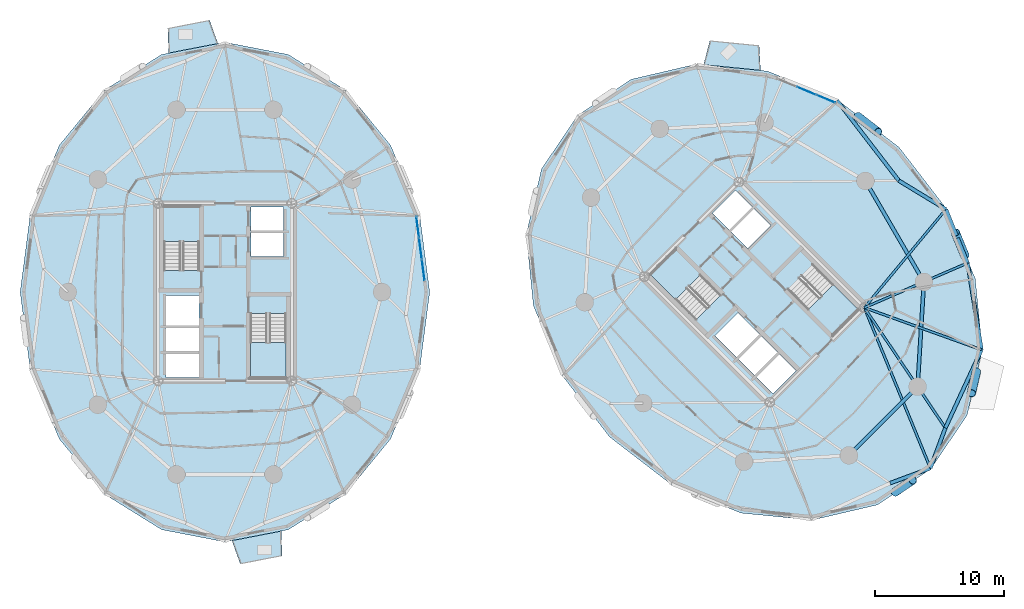
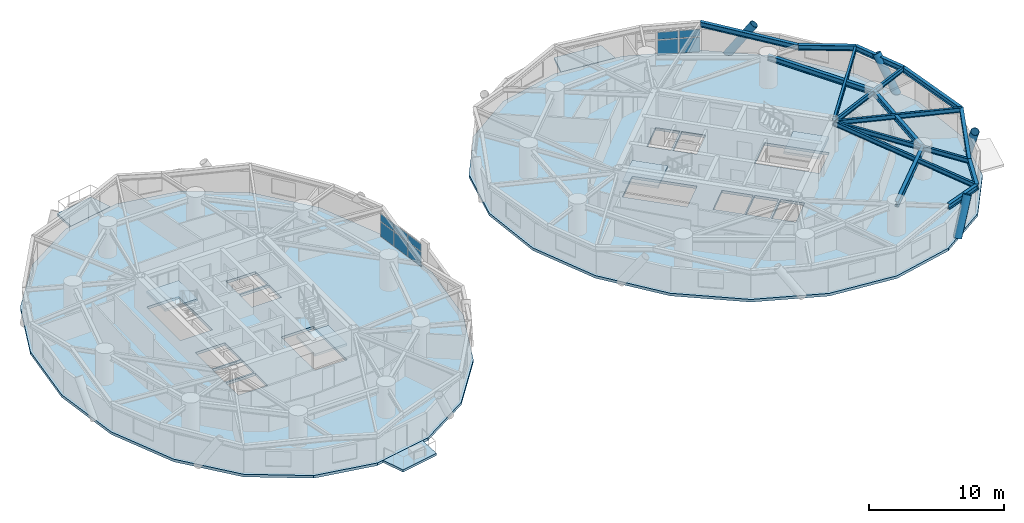
# One storey, part 7 of 18: 15 beams, 10 plates, 9 slabs, 4 members, 6 elements without a shape of their own.
"""IFC4 building model written with IfcOpenShell, lengths in metres."""

import ifcopenshell
import ifcopenshell.guid

model = None  # the IFC model being written
_history = None  # IfcOwnerHistory: only IFC2X3 demands one
_inside = {}  # id of a spatial element -> (the spatial element, [elements in it])
_under = {}  # id of a project, library or spatial element -> (it, [spatial elements below it])
_declared = {}  # id of a project -> (the project, [libraries it declares])
_typed = {}  # id of a type object -> (the type object, [elements of that type])
_made_of = {}  # id of a material, layer set ... -> (it, [elements and type objects made of it])


def new_model(schema):
    """Start an empty IFC model of exactly this schema.

    Asked for "IFC4X3", IfcOpenShell would pick the latest addendum, in which some entities
    have other attributes; the version numbers below select the first issue.
    IFC2X3 requires an IfcOwnerHistory on every rooted entity: one is made here for all.
    """
    global model, _history
    if schema == "IFC4X3":
        model = ifcopenshell.file(schema_version=(4, 3, 0, 0))
    else:
        model = ifcopenshell.file(schema=schema)
    _inside.clear()
    _under.clear()
    _declared.clear()
    _typed.clear()
    _made_of.clear()
    _history = None
    if model.schema == "IFC2X3":
        org = make("IfcOrganization", Name="unknown")
        user = make(
            "IfcPersonAndOrganization",
            ThePerson=make("IfcPerson", FamilyName="unknown"),
            TheOrganization=org,
        )
        app = make(
            "IfcApplication",
            ApplicationDeveloper=org,
            Version="unknown",
            ApplicationFullName="unknown",
            ApplicationIdentifier="unknown",
        )
        _history = make(
            "IfcOwnerHistory",
            OwningUser=user,
            OwningApplication=app,
            ChangeAction="ADDED",
            CreationDate=0,
        )
    return model


def make(cls, **values):
    """One entity of the class cls with the attributes given. An attribute that is None is left unset."""
    return model.create_entity(
        cls, **{name: value for name, value in values.items() if value is not None}
    )


def rooted(cls, **values):
    """An entity with a GlobalId (a new one), such as an element, a storey or a relation."""
    return make(cls, GlobalId=ifcopenshell.guid.new(), OwnerHistory=_history, **values)


def si_unit(unit_type, name, prefix=None):
    """IfcSIUnit, for example si_unit("LENGTHUNIT", "METRE", prefix="MILLI")."""
    return make("IfcSIUnit", UnitType=unit_type, Prefix=prefix, Name=name)


def assignment(units):
    """IfcUnitAssignment: the units of a project."""
    return None if units is None else make("IfcUnitAssignment", Units=units)


def point(xyz):
    """IfcCartesianPoint."""
    return None if xyz is None else make("IfcCartesianPoint", Coordinates=xyz)


def direction(xyz):
    """IfcDirection."""
    return None if xyz is None else make("IfcDirection", DirectionRatios=xyz)


def frame(location, z_axis=None, x_axis=None):
    """IfcAxis2Placement3D, a coordinate frame: its origin and axes. An axis left out is left unset."""
    return make(
        "IfcAxis2Placement3D",
        Location=point(location),
        Axis=direction(z_axis),
        RefDirection=direction(x_axis),
    )


def frame_2d(location, x_axis=None):
    """IfcAxis2Placement2D, a coordinate frame in the plane: its origin and x axis."""
    return make(
        "IfcAxis2Placement2D", Location=point(location), RefDirection=direction(x_axis)
    )


def origin():
    """The frame at (0, 0, 0) with its axes left unset."""
    return frame((0.0, 0.0, 0.0))


def origin_2d():
    """The frame at (0, 0) in the plane with its x axis left unset."""
    return frame_2d((0.0, 0.0))


def place(relative_to, where):
    """IfcLocalPlacement: puts the frame where relative to a parent placement (None: the world)."""
    return make(
        "IfcLocalPlacement", PlacementRelTo=relative_to, RelativePlacement=where
    )


def context(
    kind, dimensions, precision=None, world=None, true_north=None, identifier=None
):
    """IfcGeometricRepresentationContext, for example the 3D "Model" context."""
    return make(
        "IfcGeometricRepresentationContext",
        ContextIdentifier=identifier,
        ContextType=kind,
        CoordinateSpaceDimension=dimensions,
        Precision=precision,
        WorldCoordinateSystem=world,
        TrueNorth=true_north,
    )


def subcontext(parent, identifier, kind, view, scale=None):
    """IfcGeometricRepresentationSubContext, for example "Body" below "Model"."""
    return make(
        "IfcGeometricRepresentationSubContext",
        ContextIdentifier=identifier,
        ContextType=kind,
        ParentContext=parent,
        TargetScale=scale,
        TargetView=view,
    )


def project(units=None, contexts=None):
    """IfcProject with its units and contexts."""
    return rooted(
        "IfcProject",
        Name="project",
        RepresentationContexts=contexts,
        UnitsInContext=assignment(units),
    )


def spatial(cls, under=None, at=None, **own):
    """A site, building, storey or space (cls), placed at a placement, below another one or the project."""
    s = rooted(cls, ObjectPlacement=at, **own)
    if under is not None:
        _under.setdefault(under.id(), (under, []))[1].append(s)
    return s


def polyline(points):
    """IfcPolyline through the points."""
    return make("IfcPolyline", Points=[point(p) for p in points])


def profile(cls, at=None, kind="AREA", **sizes):
    """A parametric profile (cls). Its sizes go by their IFC names, for example OverallWidth=200.0."""
    return make(cls, ProfileType=kind, Position=at, **sizes)


def rectangle(**sizes):
    """IfcRectangleProfileDef."""
    return profile("IfcRectangleProfileDef", **sizes)


def hollow_circle(**sizes):
    """IfcCircleHollowProfileDef."""
    return profile("IfcCircleHollowProfileDef", **sizes)


def i_section(**sizes):
    """IfcIShapeProfileDef."""
    return profile("IfcIShapeProfileDef", **sizes)


def outline(outer, holes=None, kind="AREA"):
    """IfcArbitraryClosedProfileDef: a profile drawn as a closed curve; with holes, ...WithVoids."""
    if holes is None:
        return make("IfcArbitraryClosedProfileDef", ProfileType=kind, OuterCurve=outer)
    return make(
        "IfcArbitraryProfileDefWithVoids",
        ProfileType=kind,
        OuterCurve=outer,
        InnerCurves=holes,
    )


def extrude(swept, where, along, depth):
    """IfcExtrudedAreaSolid: the profile swept, set in the frame where, extruded along a direction by depth."""
    return make(
        "IfcExtrudedAreaSolid",
        SweptArea=swept,
        Position=where,
        ExtrudedDirection=direction(along),
        Depth=depth,
    )


def shape(context_of_items, identifier, shape_type, items):
    """IfcShapeRepresentation: the items that make up one representation, for example the "Body"."""
    return make(
        "IfcShapeRepresentation",
        ContextOfItems=context_of_items,
        RepresentationIdentifier=identifier,
        RepresentationType=shape_type,
        Items=items,
    )


def source(mapping_origin, context_of_items, identifier, shape_type, items):
    """IfcRepresentationMap: a shape defined once, which mapped items show again and again."""
    return make(
        "IfcRepresentationMap",
        MappingOrigin=mapping_origin,
        MappedRepresentation=shape(context_of_items, identifier, shape_type, items),
    )


def transform(
    local_origin,
    x_axis=None,
    y_axis=None,
    z_axis=None,
    scale=None,
    scale2=None,
    scale3=None,
    uniform=True,
):
    """IfcCartesianTransformationOperator3D, or its non-uniform kind. x_axis, y_axis, z_axis: its Axis1, 2, 3."""
    if uniform:
        return make(
            "IfcCartesianTransformationOperator3D",
            Axis1=direction(x_axis),
            Axis2=direction(y_axis),
            LocalOrigin=point(local_origin),
            Scale=scale,
            Axis3=direction(z_axis),
        )
    return make(
        "IfcCartesianTransformationOperator3DnonUniform",
        Axis1=direction(x_axis),
        Axis2=direction(y_axis),
        LocalOrigin=point(local_origin),
        Scale=scale,
        Axis3=direction(z_axis),
        Scale2=scale2,
        Scale3=scale3,
    )


def mapped(mapping_source, mapping_target):
    """IfcMappedItem: shows the shape of a source again, moved by a transform."""
    return make(
        "IfcMappedItem", MappingSource=mapping_source, MappingTarget=mapping_target
    )


def material(Name=None, Category=None):
    """IfcMaterial."""
    return make("IfcMaterial", Name=Name, Category=Category)


def layer(
    of_material, thickness, ventilated=None, Name=None, Category=None, Priority=None
):
    """IfcMaterialLayer: one layer of a wall or slab, of a material (None: an air gap)."""
    return make(
        "IfcMaterialLayer",
        Material=of_material,
        LayerThickness=thickness,
        IsVentilated=ventilated,
        Name=Name,
        Category=Category,
        Priority=Priority,
    )


def layer_set(layers, Name=None):
    """IfcMaterialLayerSet."""
    return make("IfcMaterialLayerSet", MaterialLayers=layers, LayerSetName=Name)


def material_profile(
    of_material, cross_section, Name=None, Category=None, Priority=None
):
    """IfcMaterialProfile: a cross section and its material."""
    return make(
        "IfcMaterialProfile",
        Name=Name,
        Material=of_material,
        Profile=cross_section,
        Priority=Priority,
        Category=Category,
    )


def profile_set(profiles, Name=None, composite=None):
    """IfcMaterialProfileSet."""
    return make(
        "IfcMaterialProfileSet",
        Name=Name,
        MaterialProfiles=profiles,
        CompositeProfile=composite,
    )


def made_of(thing, what):
    """Note that an element or type object is made of a material, layer set ...; save() writes the relation."""
    if what is not None:
        _made_of.setdefault(what.id(), (what, []))[1].append(thing)
    return thing


def type_object(cls, material=None, **own):
    """A type object (cls), such as IfcWallType, which elements share."""
    return made_of(rooted(cls, **own), material)


def element(
    cls,
    number,
    at=None,
    inside=None,
    cuts=None,
    type_object=None,
    material=None,
    context=None,
    identifier="Body",
    shape_type=None,
    held_by="IfcProductDefinitionShape",
    body=None,
    shapes=None,
    **own,
):
    """One element of the class cls, such as IfcWall. Its Tag is "e" and its number.

    at: its placement. inside: the storey or other place that contains it. cuts: it is an
    opening in that element (IfcRelVoidsElement). A single representation is given by context,
    identifier, shape_type and body (its items); several are given by shapes. held_by: the class
    of the entity that holds the representations. save() writes the other relations.
    """
    e = rooted(cls, Tag="e%d" % number, ObjectPlacement=at, **own)
    if body is not None:
        shapes = [shape(context, identifier, shape_type, body)]
    if shapes is not None:
        e.Representation = make(held_by, Representations=shapes)
    if inside is not None:
        _inside.setdefault(inside.id(), (inside, []))[1].append(e)
    if cuts is not None:
        rooted(
            "IfcRelVoidsElement", RelatingBuildingElement=cuts, RelatedOpeningElement=e
        )
    if type_object is not None:
        _typed.setdefault(type_object.id(), (type_object, []))[1].append(e)
    return made_of(e, material)


def aggregate(whole, parts):
    """IfcRelAggregates: a whole, such as a stair, and the parts it consists of."""
    return rooted("IfcRelAggregates", RelatingObject=whole, RelatedObjects=parts)


def save(model, path):
    """Write the relations noted so far, then the file.

    IfcRelAggregates (storeys below a building ...), IfcRelContainedInSpatialStructure (elements
    in a storey), IfcRelDefinesByType, IfcRelAssociatesMaterial and IfcRelDeclares: one each for
    every whole, place, type object, material and project.
    """
    for whole, parts in _under.values():
        aggregate(whole, parts)
    for where, things in _inside.values():
        rooted(
            "IfcRelContainedInSpatialStructure",
            RelatedElements=things,
            RelatingStructure=where,
        )
    for kind, things in _typed.values():
        rooted("IfcRelDefinesByType", RelatedObjects=things, RelatingType=kind)
    for what, things in _made_of.values():
        rooted("IfcRelAssociatesMaterial", RelatedObjects=things, RelatingMaterial=what)
    for by, libraries in _declared.values():
        rooted("IfcRelDeclares", RelatingContext=by, RelatedDefinitions=libraries)
    model.write(path)


model = new_model("IFC4")

# Units and contexts
model_context = context("Model", 3, precision=1e-05, world=origin(), true_north=direction((0.0, 1.0)))
body_context = subcontext(model_context, "Body", "Model", "MODEL_VIEW")
ifc_project = project(units=[si_unit("LENGTHUNIT", "METRE"), si_unit("AREAUNIT", "SQUARE_METRE"), si_unit("VOLUMEUNIT", "CUBIC_METRE"), si_unit("PLANEANGLEUNIT", "RADIAN"), si_unit("MASSUNIT", "GRAM", prefix="KILO")], contexts=[model_context])

# Site, building, storey
site_placement = place(None, origin())
site = spatial("IfcSite", under=ifc_project, at=site_placement, CompositionType="ELEMENT")
building_placement = place(site_placement, origin())
building = spatial("IfcBuilding", under=site, at=building_placement, Name="Cununo Teusaquillo Station Towers", CompositionType="ELEMENT")
storey_placement = place(building_placement, frame((0.0, 0.0, 105.070068359375)))
storey = spatial("IfcBuildingStorey", under=building, at=storey_placement, Name="L33", CompositionType="ELEMENT", Elevation=105.070068359375)

# Beams
ifc_material_1 = material(Name="Steel ASTM A572 Grade 50", Category="steel")
ifc_material_profile_1 = material_profile(ifc_material_1, i_section(OverallWidth=0.180908203125, OverallDepth=0.4169921875, WebThickness=0.010986328125, FlangeThickness=0.018310546875, FilletRadius=0.012939453125, at=origin_2d()), Name="W16X57")
ifc_profile_set_1 = profile_set([ifc_material_profile_1], Name="Steel ASTM A572 Grade 50")
beam_type_1 = type_object("IfcBeamType", Name="BM-JOIST-1", PredefinedType="JOIST", material=ifc_profile_set_1)
beam_1_placement = place(storey_placement, frame((66.024169921875, 23.29443359375, 2.46142578125), z_axis=(0.380485864505, -0.924786735908, 0.0), x_axis=(0.924786735908, 0.380485864505, 0.0)))
element("IfcBeam", 1, at=beam_1_placement, inside=storey, type_object=beam_type_1, Name="L33 Tower B Radial Spandrel Joist V15", PredefinedType="JOIST", context=body_context, shape_type="SweptSolid", body=[
    extrude(i_section(OverallWidth=0.180908203125, OverallDepth=0.4169921875, WebThickness=0.010986328125, FlangeThickness=0.018310546875, FilletRadius=0.012939453125, at=origin_2d()), origin(), (0.0, 0.0, 1.0), 13.44580078125),
])
beam_2_placement = place(storey_placement, frame((66.024169921875, 23.29443359375, 2.46142578125), z_axis=(0.941082771055, -0.338176312038, 0.0), x_axis=(0.338176312038, 0.941082771055, 0.0)))
element("IfcBeam", 2, at=beam_2_placement, inside=storey, type_object=beam_type_1, Name="L33 Tower B Radial Spandrel Joist V17", PredefinedType="JOIST", context=body_context, shape_type="SweptSolid", body=[
    extrude(i_section(OverallWidth=0.180908203125, OverallDepth=0.4169921875, WebThickness=0.010986328125, FlangeThickness=0.018310546875, FilletRadius=0.012939453125, at=origin_2d()), origin(), (0.0, 0.0, 1.0), 9.646484375),
])
beam_3_placement = place(storey_placement, frame((66.024169921875, 23.29443359375, 2.46142578125), z_axis=(0.638372238196, 0.769727799615, 0.0), x_axis=(-0.769727799615, 0.638372238196, 0.0)))
element("IfcBeam", 3, at=beam_3_placement, inside=storey, type_object=beam_type_1, Name="L33 Tower B Radial Spandrel Joist V19", PredefinedType="JOIST", context=body_context, shape_type="SweptSolid", body=[
    extrude(i_section(OverallWidth=0.180908203125, OverallDepth=0.4169921875, WebThickness=0.010986328125, FlangeThickness=0.018310546875, FilletRadius=0.012939453125, at=origin_2d()), origin(), (0.0, 0.0, 1.0), 9.895263671875),
])
ifc_material_2 = material(Name="Steel ASTM A572 Grade 50", Category="steel")
ifc_material_profile_2 = material_profile(ifc_material_2, i_section(OverallWidth=0.180908203125, OverallDepth=0.4169921875, WebThickness=0.010986328125, FlangeThickness=0.018310546875, FilletRadius=0.012939453125, at=origin_2d()), Name="W16X57")
ifc_profile_set_2 = profile_set([ifc_material_profile_2], Name="Steel ASTM A572 Grade 50")
beam_type_2 = type_object("IfcBeamType", Name="BM-RAD-G2", PredefinedType="BEAM", material=ifc_profile_set_2)
beam_4_placement = place(storey_placement, frame((66.024169921875, 23.29443359375, 2.46142578125), z_axis=(0.558572297481, -0.82945583878, 0.0), x_axis=(0.82945583878, 0.558572297481, 0.0)))
element("IfcBeam", 4, at=beam_4_placement, inside=storey, type_object=beam_type_2, Name="L33 Tower B Continuous Overhanging Radial Girder 09", PredefinedType="BEAM", context=body_context, shape_type="SweptSolid", body=[
    extrude(i_section(OverallWidth=0.180908203125, OverallDepth=0.4169921875, WebThickness=0.010986328125, FlangeThickness=0.018310546875, FilletRadius=0.012939453125, at=origin_2d()), origin(), (0.0, 0.0, 1.0), 11.22998046875),
])
beam_5_placement = place(storey_placement, frame((66.024169921875, 23.29443359375, 2.46142578125), z_axis=(0.917654733344, 0.397378648609, 0.0), x_axis=(-0.397378648609, 0.917654733344, 0.0)))
element("IfcBeam", 5, at=beam_5_placement, inside=storey, type_object=beam_type_2, Name="L33 Tower B Continuous Overhanging Radial Girder 10", PredefinedType="BEAM", context=body_context, shape_type="SweptSolid", body=[
    extrude(i_section(OverallWidth=0.180908203125, OverallDepth=0.4169921875, WebThickness=0.010986328125, FlangeThickness=0.018310546875, FilletRadius=0.012939453125, at=origin_2d()), origin(), (0.0, 0.0, 1.0), 8.71484375),
])
ifc_material_3 = material(Name="Steel ASTM A572 Grade 50", Category="steel")
ifc_material_profile_3 = material_profile(ifc_material_3, i_section(OverallWidth=0.280029296875, OverallDepth=0.462890625, WebThickness=0.0107421875, FlangeThickness=0.017333984375, FilletRadius=0.013916015625, at=origin_2d()), Name="W18X76")
ifc_profile_set_3 = profile_set([ifc_material_profile_3], Name="Steel ASTM A572 Grade 50")
beam_type_3 = type_object("IfcBeamType", Name="BM-RING-Z2", PredefinedType="SPANDREL", material=ifc_profile_set_3)
beam_6_placement = place(storey_placement, frame((64.826904296875, 11.853759765625, 2.4384765625), z_axis=(0.707106781187, 0.707106781187, 0.0), x_axis=(-0.707106781187, 0.707106781187, 0.0)))
element("IfcBeam", 6, at=beam_6_placement, inside=storey, type_object=beam_type_3, Name="L33 Tower B Structural Column Ring Girder 08", PredefinedType="SPANDREL", context=body_context, shape_type="SweptSolid", body=[
    extrude(i_section(OverallWidth=0.280029296875, OverallDepth=0.462890625, WebThickness=0.0107421875, FlangeThickness=0.017333984375, FilletRadius=0.013916015625, at=origin_2d()), origin(), (0.0, 0.0, 1.0), 7.522705078125),
])
beam_7_placement = place(storey_placement, frame((70.146240234375, 17.173095703125, 2.4384765625), z_axis=(0.06012979176, 0.998190567048, 0.0), x_axis=(-0.998190567048, 0.06012979176, 0.0)))
element("IfcBeam", 7, at=beam_7_placement, inside=storey, type_object=beam_type_3, Name="L33 Tower B Structural Column Ring Girder 09", PredefinedType="SPANDREL", context=body_context, shape_type="SweptSolid", body=[
    extrude(i_section(OverallWidth=0.280029296875, OverallDepth=0.462890625, WebThickness=0.0107421875, FlangeThickness=0.017333984375, FilletRadius=0.013916015625, at=origin_2d()), origin(), (0.0, 0.0, 1.0), 8.132568359375),
])
beam_8_placement = place(storey_placement, frame((70.63525390625, 25.291015625, 2.4384765625), z_axis=(-0.501311121078, 0.865267103202, 0.0), x_axis=(-0.865267103202, -0.501311121078, 0.0)))
element("IfcBeam", 8, at=beam_8_placement, inside=storey, type_object=beam_type_3, Name="L33 Tower B Structural Column Ring Girder 10", PredefinedType="SPANDREL", context=body_context, shape_type="SweptSolid", body=[
    extrude(i_section(OverallWidth=0.280029296875, OverallDepth=0.462890625, WebThickness=0.0107421875, FlangeThickness=0.017333984375, FilletRadius=0.013916015625, at=origin_2d()), origin(), (0.0, 0.0, 1.0), 9.032958984375),
])
beam_9_placement = place(storey_placement, frame((68.694580078125, 33.12890625, 2.4384765625), z_axis=(-0.610100441726, 0.792324082056, 0.0), x_axis=(-0.792324082056, -0.610100441726, 0.0)))
element("IfcBeam", 9, at=beam_9_placement, inside=storey, type_object=beam_type_3, Name="L33 Tower B Spandrel Ring Beam 01", PredefinedType="SPANDREL", context=body_context, shape_type="SweptSolid", body=[
    extrude(i_section(OverallWidth=0.280029296875, OverallDepth=0.462890625, WebThickness=0.0107421875, FlangeThickness=0.017333984375, FilletRadius=0.013916015625, at=origin_2d()), origin(), (0.0, 0.0, 1.0), 7.84033203125),
])
for number, where, z_axis, x_axis, name in (
    (10, (68.020263671875, 9.703125, 2.4384765625), (0.937628334414, 0.347639333943, 0.0), (-0.347639333943, 0.937628334414, 0.0), "L33 Tower B Spandrel Ring Beam 15"),
    (11, (71.14013671875, 10.85986328125, 2.4384765625), (0.347639333943, 0.937628334414, 0.0), (-0.937628334414, 0.347639333943, 0.0), "L33 Tower B Spandrel Ring Beam 16"),
):
    element("IfcBeam", number, at=place(storey_placement, frame(where, z_axis=z_axis, x_axis=x_axis)), inside=storey, type_object=beam_type_3, Name=name, PredefinedType="SPANDREL", context=body_context, shape_type="SweptSolid", body=[
        extrude(i_section(OverallWidth=0.280029296875, OverallDepth=0.462890625, WebThickness=0.0107421875, FlangeThickness=0.017333984375, FilletRadius=0.013916015625, at=origin_2d()), origin(), (0.0, 0.0, 1.0), 3.327392578125),
    ])
beam_10_placement = place(storey_placement, frame((72.296875, 13.979736328125, 2.4384765625), z_axis=(0.420535961689, 0.907275870354, 0.0), x_axis=(-0.907275870354, 0.420535961689, 0.0)))
element("IfcBeam", 12, at=beam_10_placement, inside=storey, type_object=beam_type_3, Name="L33 Tower B Spandrel Ring Beam 17", PredefinedType="SPANDREL", context=body_context, shape_type="SweptSolid", body=[
    extrude(i_section(OverallWidth=0.280029296875, OverallDepth=0.462890625, WebThickness=0.0107421875, FlangeThickness=0.017333984375, FilletRadius=0.013916015625, at=origin_2d()), origin(), (0.0, 0.0, 1.0), 6.671142578125),
])
beam_11_placement = place(storey_placement, frame((75.102294921875, 20.0322265625, 2.4384765625), z_axis=(-0.158671232312, 0.987331474246, 0.0), x_axis=(-0.987331474246, -0.158671232312, 0.0)))
element("IfcBeam", 13, at=beam_11_placement, inside=storey, type_object=beam_type_3, Name="L33 Tower B Spandrel Ring Beam 18", PredefinedType="SPANDREL", context=body_context, shape_type="SweptSolid", body=[
    extrude(i_section(OverallWidth=0.280029296875, OverallDepth=0.462890625, WebThickness=0.0107421875, FlangeThickness=0.017333984375, FilletRadius=0.013916015625, at=origin_2d()), origin(), (0.0, 0.0, 1.0), 6.8115234375),
])
beam_12_placement = place(storey_placement, frame((74.021484375, 26.757568359375, 2.4384765625), z_axis=(-0.375042266631, 0.927007712072, 0.0), x_axis=(-0.927007712072, -0.375042266631, 0.0)))
element("IfcBeam", 14, at=beam_12_placement, inside=storey, type_object=beam_type_3, Name="L33 Tower B Spandrel Ring Beam 19", PredefinedType="SPANDREL", context=body_context, shape_type="SweptSolid", body=[
    extrude(i_section(OverallWidth=0.280029296875, OverallDepth=0.462890625, WebThickness=0.0107421875, FlangeThickness=0.017333984375, FilletRadius=0.013916015625, at=origin_2d()), origin(), (0.0, 0.0, 1.0), 4.480712890625),
])
beam_13_placement = place(storey_placement, frame((72.341064453125, 30.9111328125, 2.4384765625), z_axis=(-0.854388492444, 0.519634779416, 0.0), x_axis=(-0.519634779416, -0.854388492444, 0.0)))
element("IfcBeam", 15, at=beam_13_placement, inside=storey, type_object=beam_type_3, Name="L33 Tower B Spandrel Ring Beam 20", PredefinedType="SPANDREL", context=body_context, shape_type="SweptSolid", body=[
    extrude(i_section(OverallWidth=0.280029296875, OverallDepth=0.462890625, WebThickness=0.0107421875, FlangeThickness=0.017333984375, FilletRadius=0.013916015625, at=origin_2d()), origin(), (0.0, 0.0, 1.0), 4.26806640625),
])

# Members
ifc_material_4 = material(Name="Steel EN 10025-2 S355J2", Category="steel")
ifc_material_profile_4 = material_profile(ifc_material_4, hollow_circle(Radius=0.330078125, WallThickness=0.02490234375, at=origin_2d()), Name="CHS 660x25")
ifc_profile_set_4 = profile_set([ifc_material_profile_4], Name="Steel EN 10025-2 S355J2")
member_type = type_object("IfcMemberType", Name="MBR-DIAG-Z2", PredefinedType="BRACE", material=ifc_profile_set_4)
member_1_placement = place(storey_placement, frame((65.498291015625, 38.118408203125, -0.14013671875), z_axis=(0.449277419576, -0.346044496653, 0.823652236442), x_axis=(0.610205273886, 0.792243348803, 0.0)))
element("IfcMember", 16, at=member_1_placement, inside=storey, type_object=member_type, Name="L33 Tower B Folded-Zigzag Diagrid Tube C00", PredefinedType="BRACE", context=body_context, shape_type="SweptSolid", body=[
    extrude(hollow_circle(Radius=0.330078125, WallThickness=0.02490234375, at=origin_2d()), origin(), (0.0, 0.0, 1.0), 3.533203125),
])
member_2_placement = place(storey_placement, frame((68.393310546875, 9.003173828125, -0.14013671875), z_axis=(0.410046606979, 0.277155057731, 0.868934320924), x_axis=(-0.559991322854, 0.828498472134, 0.0)))
element("IfcMember", 17, at=member_2_placement, inside=storey, type_object=member_type, Name="L33 Tower B Folded-Zigzag Diagrid Tube C14", PredefinedType="BRACE", context=body_context, shape_type="SweptSolid", body=[
    extrude(hollow_circle(Radius=0.330078125, WallThickness=0.02490234375, at=origin_2d()), origin(), (0.0, 0.0, 1.0), 3.34912109375),
])
member_3_placement = place(storey_placement, frame((74.7099609375, 18.348388671875, -0.14013671875), z_axis=(-0.115899426578, -0.497494862811, 0.859689586069), x_axis=(0.973920299704, -0.226890391653, 0.0)))
element("IfcMember", 18, at=member_3_placement, inside=storey, type_object=member_type, Name="L33 Tower B Folded-Zigzag Diagrid Tube C16", PredefinedType="BRACE", context=body_context, shape_type="SweptSolid", body=[
    extrude(hollow_circle(Radius=0.330078125, WallThickness=0.02490234375, at=origin_2d()), origin(), (0.0, 0.0, 1.0), 3.385009765625),
])
member_4_placement = place(storey_placement, frame((73.818115234375, 27.318115234375, -0.14013671875), z_axis=(-0.211081064796, 0.513432884221, 0.831764063593), x_axis=(-0.924888817599, -0.380237656053, 0.0)))
element("IfcMember", 19, at=member_4_placement, inside=storey, type_object=member_type, Name="L33 Tower B Folded-Zigzag Diagrid Tube C18", PredefinedType="BRACE", context=body_context, shape_type="SweptSolid", body=[
    extrude(hollow_circle(Radius=0.330078125, WallThickness=0.02490234375, at=origin_2d()), origin(), (0.0, 0.0, 1.0), 3.498779296875),
])

# Slabs
ifc_material_5 = material(Name="Concrete C50/60", Category="concrete")
ifc_layer_1 = layer(ifc_material_5, 0.2099609375)
ifc_layer_set_1 = layer_set([ifc_layer_1], Name="Concrete C50/60")
slab_type_1 = type_object("IfcSlabType", Name="SLB-BAL-210", PredefinedType="FLOOR", material=ifc_layer_set_1)
slab_1_placement = place(storey_placement, frame((0.0, 0.0, -0.2099609375)))
element("IfcSlab", 20, at=slab_1_placement, inside=storey, type_object=slab_type_1, Name="L33 Tower A Tree Balcony Slab 1", PredefinedType="FLOOR", context=body_context, shape_type="SweptSolid", body=[
    extrude(outline(polyline([(15.958984375, 43.75048828125), (12.1376953125, 43.01220703125), (12.069091796875, 44.94921875), (15.30126953125, 45.573974609375), (15.958984375, 43.75048828125)])), origin(), (0.0, 0.0, 1.0), 0.2099609375),
])
slab_2_placement = place(storey_placement, frame((0.0, 0.0, -0.2099609375)))
element("IfcSlab", 21, at=slab_2_placement, inside=storey, type_object=slab_type_1, Name="L33 Tower A Tree Balcony Slab 2", PredefinedType="FLOOR", context=body_context, shape_type="SweptSolid", body=[
    extrude(outline(polyline([(17.041015625, 5.24951171875), (20.8623046875, 5.98779296875), (20.930908203125, 4.05078125), (17.69873046875, 3.426025390625), (17.041015625, 5.24951171875)])), origin(), (0.0, 0.0, 1.0), 0.2099609375),
])
slab_3_placement = place(storey_placement, frame((0.0, 0.0, -0.2099609375)))
element("IfcSlab", 22, at=slab_3_placement, inside=storey, type_object=slab_type_1, Name="L33 Tower B Tree Balcony Slab 1", PredefinedType="FLOOR", context=body_context, shape_type="SweptSolid", body=[
    extrude(outline(polyline([(57.984375, 41.675048828125), (53.57080078125, 42.1123046875), (54.05810546875, 43.988525390625), (57.87451171875, 43.6103515625), (57.984375, 41.675048828125)])), origin(), (0.0, 0.0, 1.0), 0.2099609375),
])

# Stair, slab
ifc_material_6 = material(Name="Concrete C50/60", Category="concrete")
stair_type = type_object("IfcStairType", Name="ST-TWR-1300", PredefinedType="HALF_TURN_STAIR", material=ifc_material_6)
stair_1_placement = place(storey_placement, origin())
stair_1 = element("IfcStair", 23, at=stair_1_placement, inside=storey, type_object=stair_type, Name="L33 Tower A Protected Core Exit Stair 1", PredefinedType="HALF_TURN_STAIR")
ifc_material_7 = material(Name="Concrete C50/60", Category="concrete")
ifc_layer_2 = layer(ifc_material_7, 0.199951171875)
ifc_layer_set_2 = layer_set([ifc_layer_2], Name="Concrete C50/60")
slab_type_2 = type_object("IfcSlabType", Name="SLB-STAIR-LND", PredefinedType="LANDING", material=ifc_layer_set_2)
slab_4_placement = place(storey_placement, frame((0.0, 0.0, 1.2548828125)))
slab_4 = element("IfcSlab", 24, at=slab_4_placement, type_object=slab_type_2, Name="ST-T1-1 landing 1", PredefinedType="LANDING", context=body_context, shape_type="SweptSolid", body=[
    extrude(outline(polyline([(14.52001953125, 28.409912109375), (14.52001953125, 31.159912109375), (11.760009765625, 31.159912109375), (11.760009765625, 28.409912109375), (14.52001953125, 28.409912109375)])), origin(), (0.0, 0.0, 1.0), 0.199951171875),
])
aggregate(stair_1, [slab_4])

stair_2_placement = place(storey_placement, origin())
stair_2 = element("IfcStair", 25, at=stair_2_placement, inside=storey, type_object=stair_type, Name="L33 Tower A Protected Core Exit Stair 2", PredefinedType="HALF_TURN_STAIR")
slab_5_placement = place(storey_placement, frame((0.0, 0.0, 1.2548828125)))
slab_5 = element("IfcSlab", 26, at=slab_5_placement, type_object=slab_type_2, Name="ST-T1-2 landing 1", PredefinedType="LANDING", context=body_context, shape_type="SweptSolid", body=[
    extrude(outline(polyline([(18.47998046875, 20.590087890625), (18.47998046875, 17.840087890625), (21.239990234375, 17.840087890625), (21.239990234375, 20.590087890625), (18.47998046875, 20.590087890625)])), origin(), (0.0, 0.0, 1.0), 0.199951171875),
])
aggregate(stair_2, [slab_5])

stair_3_placement = place(storey_placement, origin())
stair_3 = element("IfcStair", 27, at=stair_3_placement, inside=storey, type_object=stair_type, Name="L33 Tower B Protected Core Exit Stair 1", PredefinedType="HALF_TURN_STAIR")
slab_6_placement = place(storey_placement, frame((0.0, 0.0, 1.2548828125)))
slab_6 = element("IfcSlab", 28, at=slab_6_placement, type_object=slab_type_2, Name="ST-T2-1 landing 1", PredefinedType="LANDING", context=body_context, shape_type="SweptSolid", body=[
    extrude(outline(polyline([(53.335205078125, 25.86474609375), (51.390625, 27.809326171875), (49.43896484375, 25.857666015625), (51.383544921875, 23.9130859375), (53.335205078125, 25.86474609375)])), origin(), (0.0, 0.0, 1.0), 0.199951171875),
])
aggregate(stair_3, [slab_6])

stair_4_placement = place(storey_placement, origin())
stair_4 = element("IfcStair", 29, at=stair_4_placement, inside=storey, type_object=stair_type, Name="L33 Tower B Protected Core Exit Stair 2", PredefinedType="HALF_TURN_STAIR")
slab_7_placement = place(storey_placement, frame((0.0, 0.0, 1.2548828125)))
slab_7 = element("IfcSlab", 30, at=slab_7_placement, type_object=slab_type_2, Name="ST-T2-2 landing 1", PredefinedType="LANDING", context=body_context, shape_type="SweptSolid", body=[
    extrude(outline(polyline([(61.664794921875, 23.13525390625), (63.609375, 21.190673828125), (65.56103515625, 23.142333984375), (63.616455078125, 25.0869140625), (61.664794921875, 23.13525390625)])), origin(), (0.0, 0.0, 1.0), 0.199951171875),
])
aggregate(stair_4, [slab_7])

# Slabs
ifc_material_8 = material(Name="Concrete C40/50", Category="concrete")
ifc_layer_3 = layer(ifc_material_8, 0.239990234375)
ifc_layer_set_3 = layer_set([ifc_layer_3], Name="Concrete C40/50")
slab_type_3 = type_object("IfcSlabType", Name="SLB-Z2-240", PredefinedType="FLOOR", material=ifc_layer_set_3)
slab_8_placement = place(storey_placement, frame((0.0, 0.0, -0.239990234375)))
element("IfcSlab", 31, at=slab_8_placement, inside=storey, type_object=slab_type_3, Name="L33 Tower A Floor Slab", PredefinedType="FLOOR", context=body_context, shape_type="SweptSolid", body=[
    extrude(outline(polyline([(32.361083984375, 24.5), (31.584716796875, 30.4794921875), (29.331787109375, 35.87353515625), (25.822998046875, 40.154541015625), (21.4013671875, 42.90283203125), (16.5, 43.85009765625), (11.5986328125, 42.90283203125), (7.177001953125, 40.154541015625), (3.668212890625, 35.87353515625), (1.415283203125, 30.4794921875), (0.638916015625, 24.5), (1.415283203125, 18.5205078125), (3.668212890625, 13.12646484375), (7.177001953125, 8.845458984375), (11.5986328125, 6.09716796875), (16.5, 5.14990234375), (21.4013671875, 6.09716796875), (25.822998046875, 8.845458984375), (29.331787109375, 13.12646484375), (31.584716796875, 18.5205078125), (32.361083984375, 24.5)]), holes=[polyline([(14.52001953125, 26.176025390625), (14.52001953125, 31.159912109375), (11.760009765625, 31.159912109375), (11.760009765625, 26.176025390625), (14.52001953125, 26.176025390625)]), polyline([(18.47998046875, 22.823974609375), (18.47998046875, 17.840087890625), (21.239990234375, 17.840087890625), (21.239990234375, 22.823974609375), (18.47998046875, 22.823974609375)]), polyline([(11.949951171875, 21.85009765625), (14.47998046875, 21.85009765625), (14.47998046875, 24.25), (11.949951171875, 24.25), (11.949951171875, 21.85009765625)]), polyline([(11.949951171875, 17.89990234375), (14.47998046875, 17.89990234375), (14.47998046875, 19.75), (11.949951171875, 19.75), (11.949951171875, 17.89990234375)]), polyline([(11.949951171875, 19.89990234375), (14.47998046875, 19.89990234375), (14.47998046875, 21.75), (11.949951171875, 21.75), (11.949951171875, 19.89990234375)]), polyline([(18.52001953125, 27.25), (21.050048828125, 27.25), (21.050048828125, 29.10009765625), (18.52001953125, 29.10009765625), (18.52001953125, 27.25)]), polyline([(18.52001953125, 29.25), (21.050048828125, 29.25), (21.050048828125, 31.10009765625), (18.52001953125, 31.10009765625), (18.52001953125, 29.25)])]), origin(), (0.0, 0.0, 1.0), 0.239990234375),
])
slab_9_placement = place(storey_placement, frame((0.0, 0.0, -0.239990234375)))
element("IfcSlab", 32, at=slab_9_placement, inside=storey, type_object=slab_type_3, Name="L33 Tower B Floor Slab", PredefinedType="FLOOR", context=body_context, shape_type="SweptSolid", body=[
    extrude(outline(polyline([(68.71533203125, 35.71533203125), (63.938232421875, 39.39453125), (58.531005859375, 41.61572265625), (53.02294921875, 42.16162109375), (47.952880859375, 40.978515625), (43.8173828125, 38.1826171875), (41.021484375, 34.047119140625), (39.83837890625, 28.97705078125), (40.38427734375, 23.468994140625), (42.60546875, 18.061767578125), (46.28466796875, 13.28466796875), (51.061767578125, 9.60546875), (56.468994140625, 7.38427734375), (61.97705078125, 6.83837890625), (67.047119140625, 8.021484375), (71.1826171875, 10.8173828125), (73.978515625, 14.952880859375), (75.16162109375, 20.02294921875), (74.61572265625, 25.531005859375), (72.39453125, 30.938232421875), (68.71533203125, 35.71533203125)]), holes=[polyline([(54.914794921875, 24.28515625), (51.390625, 27.809326171875), (49.43896484375, 25.857666015625), (52.963134765625, 22.33349609375), (54.914794921875, 24.28515625)]), polyline([(60.085205078125, 24.71484375), (63.609375, 21.190673828125), (65.56103515625, 23.142333984375), (62.036865234375, 26.66650390625), (60.085205078125, 24.71484375)]), polyline([(56.156494140625, 19.40869140625), (57.945556640625, 21.19775390625), (56.248291015625, 22.89501953125), (54.45947265625, 21.10595703125), (56.156494140625, 19.40869140625)]), polyline([(58.94970703125, 16.61572265625), (60.738525390625, 18.40478515625), (59.430419921875, 19.712890625), (57.641357421875, 17.923828125), (58.94970703125, 16.61572265625)]), polyline([(57.535400390625, 18.030029296875), (59.32421875, 19.819091796875), (58.01611328125, 21.127197265625), (56.227294921875, 19.338134765625), (57.535400390625, 18.030029296875)]), polyline([(56.98388671875, 27.872802734375), (58.772705078125, 29.661865234375), (57.464599609375, 30.969970703125), (55.67578125, 29.180908203125), (56.98388671875, 27.872802734375)]), polyline([(55.569580078125, 29.287109375), (57.358642578125, 31.076171875), (56.05029296875, 32.38427734375), (54.261474609375, 30.59521484375), (55.569580078125, 29.287109375)])]), origin(), (0.0, 0.0, 1.0), 0.239990234375),
])

# Curtain wall, plates
ifc_material_9 = material(Name="Ceramic-fritted dark low-E double glazing", Category="glass")
ifc_layer_4 = layer(ifc_material_9, 0.179931640625)
ifc_layer_set_4 = layer_set([ifc_layer_4], Name="Ceramic-fritted dark low-E double glazing")
curtain_wall_type = type_object("IfcCurtainWallType", Name="CW-SYS-04", PredefinedType="USERDEFINED", material=ifc_layer_set_4)
curtain_wall_1_placement = place(storey_placement, origin())
curtain_wall_1 = element("IfcCurtainWall", 33, at=curtain_wall_1_placement, inside=storey, type_object=curtain_wall_type, Name="L33 Tower A Facade Curtain Wall C00", ObjectType="FRITTED GLAZING", PredefinedType="USERDEFINED")
ifc_material_10 = material(Name="Ceramic-fritted dark low-E double glazing", Category="glass")
ifc_layer_5 = layer(ifc_material_10, 0.028076171875)
ifc_layer_set_5 = layer_set([ifc_layer_5], Name="Ceramic-fritted dark low-E double glazing")
plate_type = type_object("IfcPlateType", Name="CWP-FRIT-28", PredefinedType="CURTAIN_PANEL", material=ifc_layer_set_5)
shared_shape_1 = source(origin(), body_context, "Body", "SweptSolid", [
    extrude(rectangle(XDim=1.59228515625, YDim=0.028076171875, at=origin_2d()), origin(), (0.0, 0.0, 1.0), 1.31103515625),
])
plate_1_placement = place(storey_placement, frame((31.429443359375, 29.533935546875, 0.06982421875), z_axis=(0.0, 0.0, 1.0), x_axis=(0.128335852387, -0.991730764367, 0.0)))
plate_1 = element("IfcPlate", 34, at=plate_1_placement, type_object=plate_type, Name="CW-04 panel 1.1", PredefinedType="CURTAIN_PANEL", context=body_context, shape_type="MappedRepresentation", body=[
    mapped(shared_shape_1, transform((0.0, 0.0, 0.0), x_axis=(1.0, 0.0, 0.0), y_axis=(0.0, 1.0, 0.0), z_axis=(0.0, 0.0, 1.0), scale=1.0)),
])
plate_2_placement = place(storey_placement, frame((31.86083984375, 26.201904296875, 0.06982421875), z_axis=(0.0, 0.0, 1.0), x_axis=(0.128335852387, -0.991730764367, 0.0)))
plate_2 = element("IfcPlate", 35, at=plate_2_placement, type_object=plate_type, Name="CW-04 panel 3.1", PredefinedType="CURTAIN_PANEL", context=body_context, shape_type="MappedRepresentation", body=[
    mapped(shared_shape_1, transform((0.0, 0.0, 0.0), x_axis=(1.0, 0.0, 0.0), y_axis=(0.0, 1.0, 0.0), z_axis=(0.0, 0.0, 1.0), scale=1.0)),
])
shared_shape_2 = source(origin(), body_context, "Body", "SweptSolid", [
    extrude(rectangle(XDim=1.59228515625, YDim=0.028076171875, at=origin_2d()), origin(), (0.0, 0.0, 1.0), 0.657958984375),
])
plate_3_placement = place(storey_placement, frame((31.429443359375, 29.533935546875, 1.451171875), z_axis=(0.0, 0.0, 1.0), x_axis=(0.128335852387, -0.991730764367, 0.0)))
plate_3 = element("IfcPlate", 36, at=plate_3_placement, type_object=plate_type, Name="CW-04 panel 1.2", PredefinedType="CURTAIN_PANEL", context=body_context, shape_type="MappedRepresentation", body=[
    mapped(shared_shape_2, transform((0.0, 0.0, 0.0), x_axis=(1.0, 0.0, 0.0), y_axis=(0.0, 1.0, 0.0), z_axis=(0.0, 0.0, 1.0), scale=1.0)),
])
plate_4_placement = place(storey_placement, frame((31.86083984375, 26.201904296875, 1.451171875), z_axis=(0.0, 0.0, 1.0), x_axis=(0.128335852387, -0.991730764367, 0.0)))
plate_4 = element("IfcPlate", 37, at=plate_4_placement, type_object=plate_type, Name="CW-04 panel 3.2", PredefinedType="CURTAIN_PANEL", context=body_context, shape_type="MappedRepresentation", body=[
    mapped(shared_shape_2, transform((0.0, 0.0, 0.0), x_axis=(1.0, 0.0, 0.0), y_axis=(0.0, 1.0, 0.0), z_axis=(0.0, 0.0, 1.0), scale=1.0)),
])
shared_shape_3 = source(origin(), body_context, "Body", "SweptSolid", [
    extrude(rectangle(XDim=1.62744140625, YDim=0.028076171875, at=origin_2d()), origin(), (0.0, 0.0, 1.0), 1.31103515625),
])
plate_5_placement = place(storey_placement, frame((31.645263671875, 27.867919921875, 0.06982421875), z_axis=(0.0, 0.0, 1.0), x_axis=(0.128335852387, -0.991730764367, 0.0)))
plate_5 = element("IfcPlate", 38, at=plate_5_placement, type_object=plate_type, Name="CW-04 panel 2.1", PredefinedType="CURTAIN_PANEL", context=body_context, shape_type="MappedRepresentation", body=[
    mapped(shared_shape_3, transform((0.0, 0.0, 0.0), x_axis=(1.0, 0.0, 0.0), y_axis=(0.0, 1.0, 0.0), z_axis=(0.0, 0.0, 1.0), scale=1.0)),
])
shared_shape_4 = source(origin(), body_context, "Body", "SweptSolid", [
    extrude(rectangle(XDim=1.62744140625, YDim=0.028076171875, at=origin_2d()), origin(), (0.0, 0.0, 1.0), 0.657958984375),
])
plate_6_placement = place(storey_placement, frame((31.645263671875, 27.867919921875, 1.451171875), z_axis=(0.0, 0.0, 1.0), x_axis=(0.128335852387, -0.991730764367, 0.0)))
plate_6 = element("IfcPlate", 39, at=plate_6_placement, type_object=plate_type, Name="CW-04 panel 2.2", PredefinedType="CURTAIN_PANEL", context=body_context, shape_type="MappedRepresentation", body=[
    mapped(shared_shape_4, transform((0.0, 0.0, 0.0), x_axis=(1.0, 0.0, 0.0), y_axis=(0.0, 1.0, 0.0), z_axis=(0.0, 0.0, 1.0), scale=1.0)),
])
aggregate(curtain_wall_1, [plate_1, plate_3, plate_5, plate_6, plate_2, plate_4])

curtain_wall_2_placement = place(storey_placement, origin())
curtain_wall_2 = element("IfcCurtainWall", 40, at=curtain_wall_2_placement, inside=storey, type_object=curtain_wall_type, Name="L33 Tower B Facade Curtain Wall C01", ObjectType="FRITTED GLAZING", PredefinedType="USERDEFINED")
shared_shape_5 = source(origin(), body_context, "Body", "SweptSolid", [
    extrude(rectangle(XDim=1.531005859375, YDim=0.028076171875, at=origin_2d()), origin(), (0.0, 0.0, 1.0), 1.31103515625),
])
plate_7_placement = place(storey_placement, frame((63.03857421875, 39.463623046875, 0.06982421875), z_axis=(0.0, 0.0, 1.0), x_axis=(0.924562443652, -0.381030560176, 0.0)))
plate_7 = element("IfcPlate", 41, at=plate_7_placement, type_object=plate_type, Name="CW-04 panel 3.1", PredefinedType="CURTAIN_PANEL", context=body_context, shape_type="MappedRepresentation", body=[
    mapped(shared_shape_5, transform((0.0, 0.0, 0.0), x_axis=(1.0, 0.0, 0.0), y_axis=(0.0, 1.0, 0.0), z_axis=(0.0, 0.0, 1.0), scale=1.0)),
])
shared_shape_6 = source(origin(), body_context, "Body", "SweptSolid", [
    extrude(rectangle(XDim=1.531005859375, YDim=0.028076171875, at=origin_2d()), origin(), (0.0, 0.0, 1.0), 0.657958984375),
])
plate_8_placement = place(storey_placement, frame((63.03857421875, 39.463623046875, 1.451171875), z_axis=(0.0, 0.0, 1.0), x_axis=(0.924562443652, -0.381030560176, 0.0)))
plate_8 = element("IfcPlate", 42, at=plate_8_placement, type_object=plate_type, Name="CW-04 panel 3.2", PredefinedType="CURTAIN_PANEL", context=body_context, shape_type="MappedRepresentation", body=[
    mapped(shared_shape_6, transform((0.0, 0.0, 0.0), x_axis=(1.0, 0.0, 0.0), y_axis=(0.0, 1.0, 0.0), z_axis=(0.0, 0.0, 1.0), scale=1.0)),
])
shared_shape_7 = source(origin(), body_context, "Body", "SweptSolid", [
    extrude(rectangle(XDim=1.566162109375, YDim=0.028076171875, at=origin_2d()), origin(), (0.0, 0.0, 1.0), 1.31103515625),
])
plate_9_placement = place(storey_placement, frame((61.542236328125, 40.080322265625, 0.06982421875), z_axis=(0.0, 0.0, 1.0), x_axis=(0.924562443652, -0.381030560176, 0.0)))
plate_9 = element("IfcPlate", 43, at=plate_9_placement, type_object=plate_type, Name="CW-04 panel 2.1", PredefinedType="CURTAIN_PANEL", context=body_context, shape_type="MappedRepresentation", body=[
    mapped(shared_shape_7, transform((0.0, 0.0, 0.0), x_axis=(1.0, 0.0, 0.0), y_axis=(0.0, 1.0, 0.0), z_axis=(0.0, 0.0, 1.0), scale=1.0)),
])
shared_shape_8 = source(origin(), body_context, "Body", "SweptSolid", [
    extrude(rectangle(XDim=1.566162109375, YDim=0.028076171875, at=origin_2d()), origin(), (0.0, 0.0, 1.0), 0.657958984375),
])
plate_10_placement = place(storey_placement, frame((61.542236328125, 40.080322265625, 1.451171875), z_axis=(0.0, 0.0, 1.0), x_axis=(0.924562443652, -0.381030560176, 0.0)))
plate_10 = element("IfcPlate", 44, at=plate_10_placement, type_object=plate_type, Name="CW-04 panel 2.2", PredefinedType="CURTAIN_PANEL", context=body_context, shape_type="MappedRepresentation", body=[
    mapped(shared_shape_8, transform((0.0, 0.0, 0.0), x_axis=(1.0, 0.0, 0.0), y_axis=(0.0, 1.0, 0.0), z_axis=(0.0, 0.0, 1.0), scale=1.0)),
])
aggregate(curtain_wall_2, [plate_9, plate_10, plate_7, plate_8])

save(model, "model.ifc")
